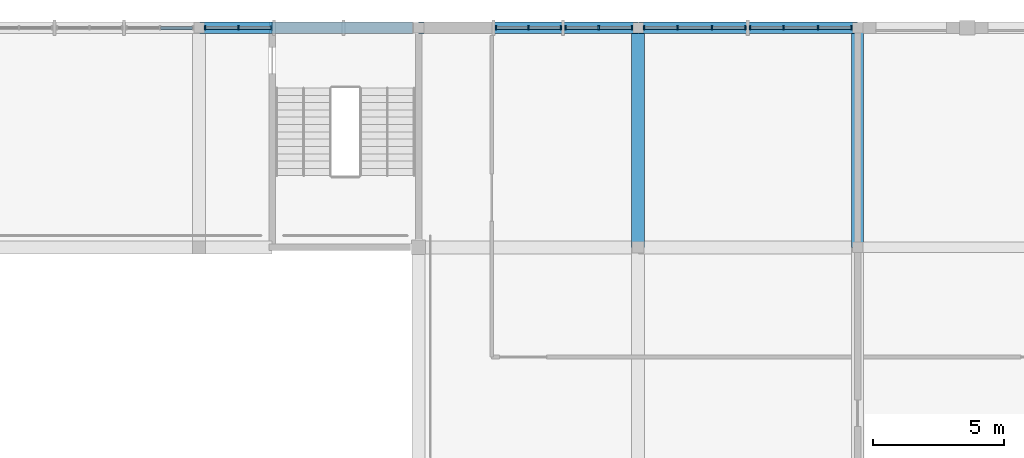
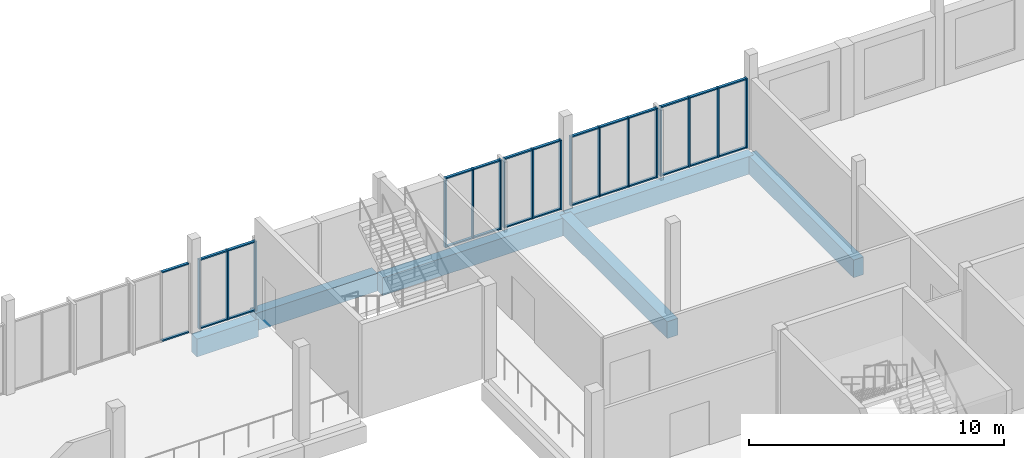
# One storey, part 77 of 116: 43 members, 6 beams, 6 elements without a shape of their own.
"""IFC4 building model written with IfcOpenShell, lengths in metres."""

from ifc_helpers import new_model, si_unit, direction, frame, origin, origin_2d, place, context, subcontext, project, spatial, rectangle, extrude, material, material_profile, profile_set, type_object, element, aggregate, save


model = new_model("IFC4")

# Units and contexts
model_context = context("Model", 3, precision=1e-05, world=origin(), true_north=direction((0.0, 1.0)))
body_context = subcontext(model_context, "Body", "Model", "MODEL_VIEW")
ifc_project = project(units=[si_unit("LENGTHUNIT", "METRE"), si_unit("AREAUNIT", "SQUARE_METRE"), si_unit("VOLUMEUNIT", "CUBIC_METRE"), si_unit("PLANEANGLEUNIT", "RADIAN"), si_unit("MASSUNIT", "GRAM", prefix="KILO")], contexts=[model_context])

# Site, building, storey
site_placement = place(None, origin())
site = spatial("IfcSite", under=ifc_project, at=site_placement, CompositionType="ELEMENT")
building_placement = place(site_placement, origin())
building = spatial("IfcBuilding", under=site, at=building_placement, Name="Fescue Hill Polytechnic", CompositionType="ELEMENT")
storey_placement = place(building_placement, frame((0.0, 0.0, 13.5)))
storey = spatial("IfcBuildingStorey", under=building, at=storey_placement, Name="L03", CompositionType="ELEMENT", Elevation=13.5)

# Beams
ifc_material_1 = material(Name="Concrete 35 MPa", Category="concrete")
ifc_material_profile_1 = material_profile(ifc_material_1, rectangle(XDim=0.449951171875, YDim=0.85009765625, at=origin_2d()), Name="RC 450x850")
ifc_profile_set_1 = profile_set([ifc_material_profile_1], Name="Concrete 35 MPa")
beam_type_1 = type_object("IfcBeamType", Name="Beam RC 450x850", PredefinedType="BEAM", material=ifc_profile_set_1)
beam_1_placement = place(storey_placement, frame((33.610107421875, 134.39990234375, -0.72509765625), z_axis=(1.0, 0.0, 0.0), x_axis=(0.0, 1.0, 0.0)))
element("IfcBeam", 1, at=beam_1_placement, inside=storey, type_object=beam_type_1, Name="BM-L03-0066", PredefinedType="BEAM", context=body_context, shape_type="SweptSolid", body=[
    extrude(rectangle(XDim=0.449951171875, YDim=0.85009765625, at=origin_2d()), origin(), (0.0, 0.0, 1.0), 2.789794921875),
])
beam_2_placement = place(storey_placement, frame((42.0, 134.39990234375, -0.72509765625), z_axis=(1.0, 0.0, 0.0), x_axis=(0.0, 1.0, 0.0)))
element("IfcBeam", 2, at=beam_2_placement, inside=storey, type_object=beam_type_1, Name="BM-L03-0069", PredefinedType="BEAM", context=body_context, shape_type="SweptSolid", body=[
    extrude(rectangle(XDim=0.449951171875, YDim=0.85009765625, at=origin_2d()), origin(), (0.0, 0.0, 1.0), 8.389892578125),
])
beam_3_placement = place(storey_placement, frame((50.409912109375, 134.39990234375, -0.72509765625), z_axis=(1.0, 0.0, 0.0), x_axis=(0.0, 1.0, 0.0)))
element("IfcBeam", 3, at=beam_3_placement, inside=storey, type_object=beam_type_1, Name="BM-L03-0076", PredefinedType="BEAM", context=body_context, shape_type="SweptSolid", body=[
    extrude(rectangle(XDim=0.449951171875, YDim=0.85009765625, at=origin_2d()), origin(), (0.0, 0.0, 1.0), 8.380126953125),
])
beam_4_placement = place(storey_placement, frame((58.800048828125, 126.0, -0.72509765625), z_axis=(0.0, 1.0, 0.0), x_axis=(-1.0, 0.0, 0.0)))
element("IfcBeam", 4, at=beam_4_placement, inside=storey, type_object=beam_type_1, Name="BM-L03-0080", PredefinedType="BEAM", context=body_context, shape_type="SweptSolid", body=[
    extrude(rectangle(XDim=0.449951171875, YDim=0.85009765625, at=origin_2d()), origin(), (0.0, 0.0, 1.0), 8.39990234375),
])
beam_5_placement = place(storey_placement, frame((36.27490234375, 134.39990234375, -0.425048828125), z_axis=(1.0, 0.0, 0.0), x_axis=(0.0, 1.0, 0.0)))
element("IfcBeam", 5, at=beam_5_placement, inside=storey, type_object=beam_type_1, Name="BM-L03-0134", PredefinedType="BEAM", context=body_context, shape_type="SweptSolid", body=[
    extrude(rectangle(XDim=0.449951171875, YDim=0.85009765625, at=origin_2d()), origin(), (0.0, 0.0, 1.0), 5.5),
])
ifc_material_profile_2 = material_profile(ifc_material_1, rectangle(XDim=0.5, YDim=0.800048828125, at=origin_2d()), Name="RC 500x800")
ifc_profile_set_2 = profile_set([ifc_material_profile_2], Name="Concrete 35 MPa")
beam_type_2 = type_object("IfcBeamType", Name="Beam RC 500x800", PredefinedType="BEAM", material=ifc_profile_set_2)
beam_6_placement = place(storey_placement, frame((50.39990234375, 126.0, -0.699951171875), z_axis=(0.0, 1.0, 0.0), x_axis=(-1.0, 0.0, 0.0)))
element("IfcBeam", 6, at=beam_6_placement, inside=storey, type_object=beam_type_2, Name="BM-L03-0074", PredefinedType="BEAM", context=body_context, shape_type="SweptSolid", body=[
    extrude(rectangle(XDim=0.5, YDim=0.800048828125, at=origin_2d()), origin(), (0.0, 0.0, 1.0), 8.39990234375),
])

# Curtain wall, members
ifc_material_2 = material(Name="Glass", Category="glass")
curtain_wall_type = type_object("IfcCurtainWallType", Name="Curtain wall structural glazing", PredefinedType="NOTDEFINED", material=ifc_material_2)
curtain_wall_1_placement = place(storey_placement, origin())
curtain_wall_1 = element("IfcCurtainWall", 7, at=curtain_wall_1_placement, inside=storey, type_object=curtain_wall_type, Name="CW-L03-V5-1", PredefinedType="NOTDEFINED")
ifc_material_3 = material(Name="Powder-coated aluminium", Category="aluminium")
ifc_material_profile_3 = material_profile(ifc_material_3, rectangle(XDim=0.159912109375, YDim=0.06005859375, at=origin_2d()), Name="Mullion aluminium 60x160")
ifc_profile_set_3 = profile_set([ifc_material_profile_3], Name="Powder-coated aluminium")
member_type_1 = type_object("IfcMemberType", Name="Mullion aluminium 60x160", PredefinedType="MULLION", material=ifc_profile_set_3)
member_1_placement = place(storey_placement, frame((58.570068359375, 134.39990234375, 0.0), z_axis=(0.0, 0.0, 1.0), x_axis=(0.0, -1.0, 0.0)))
member_1 = element("IfcMember", 8, at=member_1_placement, type_object=member_type_1, Name="CW72 mullion 1", PredefinedType="MULLION", context=body_context, shape_type="SweptSolid", body=[
    extrude(rectangle(XDim=0.159912109375, YDim=0.06005859375, at=origin_2d()), origin(), (0.0, 0.0, 1.0), 3.330078125),
])
member_2_placement = place(storey_placement, frame((57.28662109375, 134.39990234375, 0.0), z_axis=(0.0, 0.0, 1.0), x_axis=(0.0, -1.0, 0.0)))
member_2 = element("IfcMember", 9, at=member_2_placement, type_object=member_type_1, Name="CW72 mullion 2", PredefinedType="MULLION", context=body_context, shape_type="SweptSolid", body=[
    extrude(rectangle(XDim=0.159912109375, YDim=0.06005859375, at=origin_2d()), origin(), (0.0, 0.0, 1.0), 3.330078125),
])
member_3_placement = place(storey_placement, frame((55.973388671875, 134.39990234375, 0.0), z_axis=(0.0, 0.0, 1.0), x_axis=(0.0, -1.0, 0.0)))
member_3 = element("IfcMember", 10, at=member_3_placement, type_object=member_type_1, Name="CW72 mullion 3", PredefinedType="MULLION", context=body_context, shape_type="SweptSolid", body=[
    extrude(rectangle(XDim=0.159912109375, YDim=0.06005859375, at=origin_2d()), origin(), (0.0, 0.0, 1.0), 3.330078125),
])
member_4_placement = place(storey_placement, frame((54.68994140625, 134.39990234375, 0.0), z_axis=(0.0, 0.0, 1.0), x_axis=(0.0, -1.0, 0.0)))
member_4 = element("IfcMember", 11, at=member_4_placement, type_object=member_type_1, Name="CW72 mullion 4", PredefinedType="MULLION", context=body_context, shape_type="SweptSolid", body=[
    extrude(rectangle(XDim=0.159912109375, YDim=0.06005859375, at=origin_2d()), origin(), (0.0, 0.0, 1.0), 3.330078125),
])

curtain_wall_2_placement = place(storey_placement, origin())
curtain_wall_2 = element("IfcCurtainWall", 12, at=curtain_wall_2_placement, inside=storey, type_object=curtain_wall_type, Name="CW-L03-V5-2", PredefinedType="NOTDEFINED")
member_5_placement = place(storey_placement, frame((54.510009765625, 134.39990234375, 0.0), z_axis=(0.0, 0.0, 1.0), x_axis=(0.0, -1.0, 0.0)))
member_5 = element("IfcMember", 13, at=member_5_placement, type_object=member_type_1, Name="CW73 mullion 1", PredefinedType="MULLION", context=body_context, shape_type="SweptSolid", body=[
    extrude(rectangle(XDim=0.159912109375, YDim=0.06005859375, at=origin_2d()), origin(), (0.0, 0.0, 1.0), 3.330078125),
])
member_6_placement = place(storey_placement, frame((53.2265625, 134.39990234375, 0.0), z_axis=(0.0, 0.0, 1.0), x_axis=(0.0, -1.0, 0.0)))
member_6 = element("IfcMember", 14, at=member_6_placement, type_object=member_type_1, Name="CW73 mullion 2", PredefinedType="MULLION", context=body_context, shape_type="SweptSolid", body=[
    extrude(rectangle(XDim=0.159912109375, YDim=0.06005859375, at=origin_2d()), origin(), (0.0, 0.0, 1.0), 3.330078125),
])
member_7_placement = place(storey_placement, frame((51.913330078125, 134.39990234375, 0.0), z_axis=(0.0, 0.0, 1.0), x_axis=(0.0, -1.0, 0.0)))
member_7 = element("IfcMember", 15, at=member_7_placement, type_object=member_type_1, Name="CW73 mullion 3", PredefinedType="MULLION", context=body_context, shape_type="SweptSolid", body=[
    extrude(rectangle(XDim=0.159912109375, YDim=0.06005859375, at=origin_2d()), origin(), (0.0, 0.0, 1.0), 3.330078125),
])
member_8_placement = place(storey_placement, frame((50.6298828125, 134.39990234375, 0.0), z_axis=(0.0, 0.0, 1.0), x_axis=(0.0, -1.0, 0.0)))
member_8 = element("IfcMember", 16, at=member_8_placement, type_object=member_type_1, Name="CW73 mullion 4", PredefinedType="MULLION", context=body_context, shape_type="SweptSolid", body=[
    extrude(rectangle(XDim=0.159912109375, YDim=0.06005859375, at=origin_2d()), origin(), (0.0, 0.0, 1.0), 3.330078125),
])

curtain_wall_3_placement = place(storey_placement, origin())
curtain_wall_3 = element("IfcCurtainWall", 17, at=curtain_wall_3_placement, inside=storey, type_object=curtain_wall_type, Name="CW-L03-V5-3", PredefinedType="NOTDEFINED")
member_9_placement = place(storey_placement, frame((50.169921875, 134.39990234375, 0.0), z_axis=(0.0, 0.0, 1.0), x_axis=(0.0, -1.0, 0.0)))
member_9 = element("IfcMember", 18, at=member_9_placement, type_object=member_type_1, Name="CW74 mullion 1", PredefinedType="MULLION", context=body_context, shape_type="SweptSolid", body=[
    extrude(rectangle(XDim=0.159912109375, YDim=0.06005859375, at=origin_2d()), origin(), (0.0, 0.0, 1.0), 3.330078125),
])
member_10_placement = place(storey_placement, frame((48.896728515625, 134.39990234375, 0.0), z_axis=(0.0, 0.0, 1.0), x_axis=(0.0, -1.0, 0.0)))
member_10 = element("IfcMember", 19, at=member_10_placement, type_object=member_type_1, Name="CW74 mullion 2", PredefinedType="MULLION", context=body_context, shape_type="SweptSolid", body=[
    extrude(rectangle(XDim=0.159912109375, YDim=0.06005859375, at=origin_2d()), origin(), (0.0, 0.0, 1.0), 3.330078125),
])
member_11_placement = place(storey_placement, frame((47.623291015625, 134.39990234375, 0.0), z_axis=(0.0, 0.0, 1.0), x_axis=(0.0, -1.0, 0.0)))
member_11 = element("IfcMember", 20, at=member_11_placement, type_object=member_type_1, Name="CW74 mullion 3", PredefinedType="MULLION", context=body_context, shape_type="SweptSolid", body=[
    extrude(rectangle(XDim=0.159912109375, YDim=0.06005859375, at=origin_2d()), origin(), (0.0, 0.0, 1.0), 3.330078125),
])

curtain_wall_4_placement = place(storey_placement, origin())
curtain_wall_4 = element("IfcCurtainWall", 21, at=curtain_wall_4_placement, inside=storey, type_object=curtain_wall_type, Name="CW-L03-V5-4", PredefinedType="NOTDEFINED")
member_12_placement = place(storey_placement, frame((47.443359375, 134.39990234375, 0.0), z_axis=(0.0, 0.0, 1.0), x_axis=(0.0, -1.0, 0.0)))
member_12 = element("IfcMember", 22, at=member_12_placement, type_object=member_type_1, Name="CW75 mullion 1", PredefinedType="MULLION", context=body_context, shape_type="SweptSolid", body=[
    extrude(rectangle(XDim=0.159912109375, YDim=0.06005859375, at=origin_2d()), origin(), (0.0, 0.0, 1.0), 3.330078125),
])
member_13_placement = place(storey_placement, frame((46.199951171875, 134.39990234375, 0.0), z_axis=(0.0, 0.0, 1.0), x_axis=(0.0, -1.0, 0.0)))
member_13 = element("IfcMember", 23, at=member_13_placement, type_object=member_type_1, Name="CW75 mullion 2", PredefinedType="MULLION", context=body_context, shape_type="SweptSolid", body=[
    extrude(rectangle(XDim=0.159912109375, YDim=0.06005859375, at=origin_2d()), origin(), (0.0, 0.0, 1.0), 3.330078125),
])
member_14_placement = place(storey_placement, frame((44.956787109375, 134.39990234375, 0.0), z_axis=(0.0, 0.0, 1.0), x_axis=(0.0, -1.0, 0.0)))
member_14 = element("IfcMember", 24, at=member_14_placement, type_object=member_type_1, Name="CW75 mullion 3", PredefinedType="MULLION", context=body_context, shape_type="SweptSolid", body=[
    extrude(rectangle(XDim=0.159912109375, YDim=0.06005859375, at=origin_2d()), origin(), (0.0, 0.0, 1.0), 3.330078125),
])

curtain_wall_5_placement = place(storey_placement, origin())
curtain_wall_5 = element("IfcCurtainWall", 25, at=curtain_wall_5_placement, inside=storey, type_object=curtain_wall_type, Name="CW-L03-V5-X2", PredefinedType="NOTDEFINED")
member_15_placement = place(storey_placement, frame((36.376708984375, 134.39990234375, 0.0), z_axis=(0.0, 0.0, 1.0), x_axis=(0.0, -1.0, 0.0)))
member_15 = element("IfcMember", 26, at=member_15_placement, type_object=member_type_1, Name="CW152 mullion 1", PredefinedType="MULLION", context=body_context, shape_type="SweptSolid", body=[
    extrude(rectangle(XDim=0.159912109375, YDim=0.06005859375, at=origin_2d()), origin(), (0.0, 0.0, 1.0), 3.330078125),
])
member_16_placement = place(storey_placement, frame((35.103271484375, 134.39990234375, 0.0), z_axis=(0.0, 0.0, 1.0), x_axis=(0.0, -1.0, 0.0)))
member_16 = element("IfcMember", 27, at=member_16_placement, type_object=member_type_1, Name="CW152 mullion 2", PredefinedType="MULLION", context=body_context, shape_type="SweptSolid", body=[
    extrude(rectangle(XDim=0.159912109375, YDim=0.06005859375, at=origin_2d()), origin(), (0.0, 0.0, 1.0), 3.330078125),
])
member_17_placement = place(storey_placement, frame((33.830078125, 134.39990234375, 0.0), z_axis=(0.0, 0.0, 1.0), x_axis=(0.0, -1.0, 0.0)))
member_17 = element("IfcMember", 28, at=member_17_placement, type_object=member_type_1, Name="CW152 mullion 3", PredefinedType="MULLION", context=body_context, shape_type="SweptSolid", body=[
    extrude(rectangle(XDim=0.159912109375, YDim=0.06005859375, at=origin_2d()), origin(), (0.0, 0.0, 1.0), 3.330078125),
])

# Member
ifc_material_profile_4 = material_profile(ifc_material_3, rectangle(XDim=0.1201171875, YDim=0.06005859375, at=origin_2d()), Name="Transom aluminium 60x120")
ifc_profile_set_4 = profile_set([ifc_material_profile_4], Name="Powder-coated aluminium")
member_type_2 = type_object("IfcMemberType", Name="Transom aluminium 60x120", PredefinedType="USERDEFINED", material=ifc_profile_set_4)
member_18_placement = place(storey_placement, frame((58.5400390625, 134.39990234375, 0.030029296875), z_axis=(-1.0, 0.0, 0.0), x_axis=(0.0, -1.0, 0.0)))
member_18 = element("IfcMember", 29, at=member_18_placement, type_object=member_type_2, Name="CW72 transom 1.1", ObjectType="TRANSOM", PredefinedType="USERDEFINED", context=body_context, shape_type="SweptSolid", body=[
    extrude(rectangle(XDim=0.1201171875, YDim=0.06005859375, at=origin_2d()), origin(), (0.0, 0.0, 1.0), 1.223388671875),
])

member_19_placement = place(storey_placement, frame((58.5400390625, 134.39990234375, 3.300048828125), z_axis=(-1.0, 0.0, 0.0), x_axis=(0.0, -1.0, 0.0)))
member_19 = element("IfcMember", 30, at=member_19_placement, type_object=member_type_2, Name="CW72 transom 1.2", ObjectType="TRANSOM", PredefinedType="USERDEFINED", context=body_context, shape_type="SweptSolid", body=[
    extrude(rectangle(XDim=0.1201171875, YDim=0.06005859375, at=origin_2d()), origin(), (0.0, 0.0, 1.0), 1.223388671875),
])

member_20_placement = place(storey_placement, frame((57.256591796875, 134.39990234375, 0.030029296875), z_axis=(-1.0, 0.0, 0.0), x_axis=(0.0, -1.0, 0.0)))
member_20 = element("IfcMember", 31, at=member_20_placement, type_object=member_type_2, Name="CW72 transom 2.1", ObjectType="TRANSOM", PredefinedType="USERDEFINED", context=body_context, shape_type="SweptSolid", body=[
    extrude(rectangle(XDim=0.1201171875, YDim=0.06005859375, at=origin_2d()), origin(), (0.0, 0.0, 1.0), 1.253173828125),
])

member_21_placement = place(storey_placement, frame((57.256591796875, 134.39990234375, 3.300048828125), z_axis=(-1.0, 0.0, 0.0), x_axis=(0.0, -1.0, 0.0)))
member_21 = element("IfcMember", 32, at=member_21_placement, type_object=member_type_2, Name="CW72 transom 2.2", ObjectType="TRANSOM", PredefinedType="USERDEFINED", context=body_context, shape_type="SweptSolid", body=[
    extrude(rectangle(XDim=0.1201171875, YDim=0.06005859375, at=origin_2d()), origin(), (0.0, 0.0, 1.0), 1.253173828125),
])

member_22_placement = place(storey_placement, frame((55.943359375, 134.39990234375, 0.030029296875), z_axis=(-1.0, 0.0, 0.0), x_axis=(0.0, -1.0, 0.0)))
member_22 = element("IfcMember", 33, at=member_22_placement, type_object=member_type_2, Name="CW72 transom 3.1", ObjectType="TRANSOM", PredefinedType="USERDEFINED", context=body_context, shape_type="SweptSolid", body=[
    extrude(rectangle(XDim=0.1201171875, YDim=0.06005859375, at=origin_2d()), origin(), (0.0, 0.0, 1.0), 1.223388671875),
])

member_23_placement = place(storey_placement, frame((55.943359375, 134.39990234375, 3.300048828125), z_axis=(-1.0, 0.0, 0.0), x_axis=(0.0, -1.0, 0.0)))
member_23 = element("IfcMember", 34, at=member_23_placement, type_object=member_type_2, Name="CW72 transom 3.2", ObjectType="TRANSOM", PredefinedType="USERDEFINED", context=body_context, shape_type="SweptSolid", body=[
    extrude(rectangle(XDim=0.1201171875, YDim=0.06005859375, at=origin_2d()), origin(), (0.0, 0.0, 1.0), 1.223388671875),
])

aggregate(curtain_wall_1, [member_1, member_2, member_3, member_4, member_18, member_19, member_20, member_21, member_22, member_23])

member_24_placement = place(storey_placement, frame((54.47998046875, 134.39990234375, 0.030029296875), z_axis=(-1.0, 0.0, 0.0), x_axis=(0.0, -1.0, 0.0)))
member_24 = element("IfcMember", 35, at=member_24_placement, type_object=member_type_2, Name="CW73 transom 1.1", ObjectType="TRANSOM", PredefinedType="USERDEFINED", context=body_context, shape_type="SweptSolid", body=[
    extrude(rectangle(XDim=0.1201171875, YDim=0.06005859375, at=origin_2d()), origin(), (0.0, 0.0, 1.0), 1.223388671875),
])

member_25_placement = place(storey_placement, frame((54.47998046875, 134.39990234375, 3.300048828125), z_axis=(-1.0, 0.0, 0.0), x_axis=(0.0, -1.0, 0.0)))
member_25 = element("IfcMember", 36, at=member_25_placement, type_object=member_type_2, Name="CW73 transom 1.2", ObjectType="TRANSOM", PredefinedType="USERDEFINED", context=body_context, shape_type="SweptSolid", body=[
    extrude(rectangle(XDim=0.1201171875, YDim=0.06005859375, at=origin_2d()), origin(), (0.0, 0.0, 1.0), 1.223388671875),
])

member_26_placement = place(storey_placement, frame((53.19677734375, 134.39990234375, 0.030029296875), z_axis=(-1.0, 0.0, 0.0), x_axis=(0.0, -1.0, 0.0)))
member_26 = element("IfcMember", 37, at=member_26_placement, type_object=member_type_2, Name="CW73 transom 2.1", ObjectType="TRANSOM", PredefinedType="USERDEFINED", context=body_context, shape_type="SweptSolid", body=[
    extrude(rectangle(XDim=0.1201171875, YDim=0.06005859375, at=origin_2d()), origin(), (0.0, 0.0, 1.0), 1.25341796875),
])

member_27_placement = place(storey_placement, frame((53.19677734375, 134.39990234375, 3.300048828125), z_axis=(-1.0, 0.0, 0.0), x_axis=(0.0, -1.0, 0.0)))
member_27 = element("IfcMember", 38, at=member_27_placement, type_object=member_type_2, Name="CW73 transom 2.2", ObjectType="TRANSOM", PredefinedType="USERDEFINED", context=body_context, shape_type="SweptSolid", body=[
    extrude(rectangle(XDim=0.1201171875, YDim=0.06005859375, at=origin_2d()), origin(), (0.0, 0.0, 1.0), 1.25341796875),
])

member_28_placement = place(storey_placement, frame((51.88330078125, 134.39990234375, 0.030029296875), z_axis=(-1.0, 0.0, 0.0), x_axis=(0.0, -1.0, 0.0)))
member_28 = element("IfcMember", 39, at=member_28_placement, type_object=member_type_2, Name="CW73 transom 3.1", ObjectType="TRANSOM", PredefinedType="USERDEFINED", context=body_context, shape_type="SweptSolid", body=[
    extrude(rectangle(XDim=0.1201171875, YDim=0.06005859375, at=origin_2d()), origin(), (0.0, 0.0, 1.0), 1.223388671875),
])

member_29_placement = place(storey_placement, frame((51.88330078125, 134.39990234375, 3.300048828125), z_axis=(-1.0, 0.0, 0.0), x_axis=(0.0, -1.0, 0.0)))
member_29 = element("IfcMember", 40, at=member_29_placement, type_object=member_type_2, Name="CW73 transom 3.2", ObjectType="TRANSOM", PredefinedType="USERDEFINED", context=body_context, shape_type="SweptSolid", body=[
    extrude(rectangle(XDim=0.1201171875, YDim=0.06005859375, at=origin_2d()), origin(), (0.0, 0.0, 1.0), 1.223388671875),
])

aggregate(curtain_wall_2, [member_5, member_6, member_7, member_8, member_24, member_25, member_26, member_27, member_28, member_29])

member_30_placement = place(storey_placement, frame((50.139892578125, 134.39990234375, 0.030029296875), z_axis=(-1.0, 0.0, 0.0), x_axis=(0.0, -1.0, 0.0)))
member_30 = element("IfcMember", 41, at=member_30_placement, type_object=member_type_2, Name="CW74 transom 1.1", ObjectType="TRANSOM", PredefinedType="USERDEFINED", context=body_context, shape_type="SweptSolid", body=[
    extrude(rectangle(XDim=0.1201171875, YDim=0.06005859375, at=origin_2d()), origin(), (0.0, 0.0, 1.0), 1.213134765625),
])

member_31_placement = place(storey_placement, frame((50.139892578125, 134.39990234375, 3.300048828125), z_axis=(-1.0, 0.0, 0.0), x_axis=(0.0, -1.0, 0.0)))
member_31 = element("IfcMember", 42, at=member_31_placement, type_object=member_type_2, Name="CW74 transom 1.2", ObjectType="TRANSOM", PredefinedType="USERDEFINED", context=body_context, shape_type="SweptSolid", body=[
    extrude(rectangle(XDim=0.1201171875, YDim=0.06005859375, at=origin_2d()), origin(), (0.0, 0.0, 1.0), 1.213134765625),
])

member_32_placement = place(storey_placement, frame((48.86669921875, 134.39990234375, 0.030029296875), z_axis=(-1.0, 0.0, 0.0), x_axis=(0.0, -1.0, 0.0)))
member_32 = element("IfcMember", 43, at=member_32_placement, type_object=member_type_2, Name="CW74 transom 2.1", ObjectType="TRANSOM", PredefinedType="USERDEFINED", context=body_context, shape_type="SweptSolid", body=[
    extrude(rectangle(XDim=0.1201171875, YDim=0.06005859375, at=origin_2d()), origin(), (0.0, 0.0, 1.0), 1.21337890625),
])

member_33_placement = place(storey_placement, frame((48.86669921875, 134.39990234375, 3.300048828125), z_axis=(-1.0, 0.0, 0.0), x_axis=(0.0, -1.0, 0.0)))
member_33 = element("IfcMember", 44, at=member_33_placement, type_object=member_type_2, Name="CW74 transom 2.2", ObjectType="TRANSOM", PredefinedType="USERDEFINED", context=body_context, shape_type="SweptSolid", body=[
    extrude(rectangle(XDim=0.1201171875, YDim=0.06005859375, at=origin_2d()), origin(), (0.0, 0.0, 1.0), 1.21337890625),
])

aggregate(curtain_wall_3, [member_9, member_10, member_11, member_30, member_31, member_32, member_33])

member_34_placement = place(storey_placement, frame((47.413330078125, 134.39990234375, 0.030029296875), z_axis=(-1.0, 0.0, 0.0), x_axis=(0.0, -1.0, 0.0)))
member_34 = element("IfcMember", 45, at=member_34_placement, type_object=member_type_2, Name="CW75 transom 1.1", ObjectType="TRANSOM", PredefinedType="USERDEFINED", context=body_context, shape_type="SweptSolid", body=[
    extrude(rectangle(XDim=0.1201171875, YDim=0.06005859375, at=origin_2d()), origin(), (0.0, 0.0, 1.0), 1.183349609375),
])

member_35_placement = place(storey_placement, frame((47.413330078125, 134.39990234375, 3.300048828125), z_axis=(-1.0, 0.0, 0.0), x_axis=(0.0, -1.0, 0.0)))
member_35 = element("IfcMember", 46, at=member_35_placement, type_object=member_type_2, Name="CW75 transom 1.2", ObjectType="TRANSOM", PredefinedType="USERDEFINED", context=body_context, shape_type="SweptSolid", body=[
    extrude(rectangle(XDim=0.1201171875, YDim=0.06005859375, at=origin_2d()), origin(), (0.0, 0.0, 1.0), 1.183349609375),
])

member_36_placement = place(storey_placement, frame((46.169921875, 134.39990234375, 0.030029296875), z_axis=(-1.0, 0.0, 0.0), x_axis=(0.0, -1.0, 0.0)))
member_36 = element("IfcMember", 47, at=member_36_placement, type_object=member_type_2, Name="CW75 transom 2.1", ObjectType="TRANSOM", PredefinedType="USERDEFINED", context=body_context, shape_type="SweptSolid", body=[
    extrude(rectangle(XDim=0.1201171875, YDim=0.06005859375, at=origin_2d()), origin(), (0.0, 0.0, 1.0), 1.18310546875),
])

member_37_placement = place(storey_placement, frame((46.169921875, 134.39990234375, 3.300048828125), z_axis=(-1.0, 0.0, 0.0), x_axis=(0.0, -1.0, 0.0)))
member_37 = element("IfcMember", 48, at=member_37_placement, type_object=member_type_2, Name="CW75 transom 2.2", ObjectType="TRANSOM", PredefinedType="USERDEFINED", context=body_context, shape_type="SweptSolid", body=[
    extrude(rectangle(XDim=0.1201171875, YDim=0.06005859375, at=origin_2d()), origin(), (0.0, 0.0, 1.0), 1.18310546875),
])

aggregate(curtain_wall_4, [member_12, member_13, member_14, member_34, member_35, member_36, member_37])

# Curtain wall, members
curtain_wall_6_placement = place(storey_placement, origin())
curtain_wall_6 = element("IfcCurtainWall", 49, at=curtain_wall_6_placement, inside=storey, type_object=curtain_wall_type, Name="CW-L03-V5-5", PredefinedType="NOTDEFINED")
member_38_placement = place(storey_placement, frame((33.340087890625, 134.39990234375, 0.030029296875), z_axis=(-1.0, 0.0, 0.0), x_axis=(0.0, -1.0, 0.0)))
member_38 = element("IfcMember", 50, at=member_38_placement, type_object=member_type_2, Name="CW76 transom 1.1", ObjectType="TRANSOM", PredefinedType="USERDEFINED", context=body_context, shape_type="SweptSolid", body=[
    extrude(rectangle(XDim=0.1201171875, YDim=0.06005859375, at=origin_2d()), origin(), (0.0, 0.0, 1.0), 1.21337890625),
])
member_39_placement = place(storey_placement, frame((33.340087890625, 134.39990234375, 3.300048828125), z_axis=(-1.0, 0.0, 0.0), x_axis=(0.0, -1.0, 0.0)))
member_39 = element("IfcMember", 51, at=member_39_placement, type_object=member_type_2, Name="CW76 transom 1.2", ObjectType="TRANSOM", PredefinedType="USERDEFINED", context=body_context, shape_type="SweptSolid", body=[
    extrude(rectangle(XDim=0.1201171875, YDim=0.06005859375, at=origin_2d()), origin(), (0.0, 0.0, 1.0), 1.21337890625),
])
aggregate(curtain_wall_6, [member_38, member_39])

# Member
member_40_placement = place(storey_placement, frame((36.3466796875, 134.39990234375, 0.030029296875), z_axis=(-1.0, 0.0, 0.0), x_axis=(0.0, -1.0, 0.0)))
member_40 = element("IfcMember", 52, at=member_40_placement, type_object=member_type_2, Name="CW152 transom 1.1", ObjectType="TRANSOM", PredefinedType="USERDEFINED", context=body_context, shape_type="SweptSolid", body=[
    extrude(rectangle(XDim=0.1201171875, YDim=0.06005859375, at=origin_2d()), origin(), (0.0, 0.0, 1.0), 1.21337890625),
])

member_41_placement = place(storey_placement, frame((36.3466796875, 134.39990234375, 3.300048828125), z_axis=(-1.0, 0.0, 0.0), x_axis=(0.0, -1.0, 0.0)))
member_41 = element("IfcMember", 53, at=member_41_placement, type_object=member_type_2, Name="CW152 transom 1.2", ObjectType="TRANSOM", PredefinedType="USERDEFINED", context=body_context, shape_type="SweptSolid", body=[
    extrude(rectangle(XDim=0.1201171875, YDim=0.06005859375, at=origin_2d()), origin(), (0.0, 0.0, 1.0), 1.21337890625),
])

member_42_placement = place(storey_placement, frame((35.0732421875, 134.39990234375, 0.030029296875), z_axis=(-1.0, 0.0, 0.0), x_axis=(0.0, -1.0, 0.0)))
member_42 = element("IfcMember", 54, at=member_42_placement, type_object=member_type_2, Name="CW152 transom 2.1", ObjectType="TRANSOM", PredefinedType="USERDEFINED", context=body_context, shape_type="SweptSolid", body=[
    extrude(rectangle(XDim=0.1201171875, YDim=0.06005859375, at=origin_2d()), origin(), (0.0, 0.0, 1.0), 1.213134765625),
])

member_43_placement = place(storey_placement, frame((35.0732421875, 134.39990234375, 3.300048828125), z_axis=(-1.0, 0.0, 0.0), x_axis=(0.0, -1.0, 0.0)))
member_43 = element("IfcMember", 55, at=member_43_placement, type_object=member_type_2, Name="CW152 transom 2.2", ObjectType="TRANSOM", PredefinedType="USERDEFINED", context=body_context, shape_type="SweptSolid", body=[
    extrude(rectangle(XDim=0.1201171875, YDim=0.06005859375, at=origin_2d()), origin(), (0.0, 0.0, 1.0), 1.213134765625),
])

aggregate(curtain_wall_5, [member_15, member_16, member_17, member_40, member_41, member_42, member_43])

save(model, "model.ifc")
